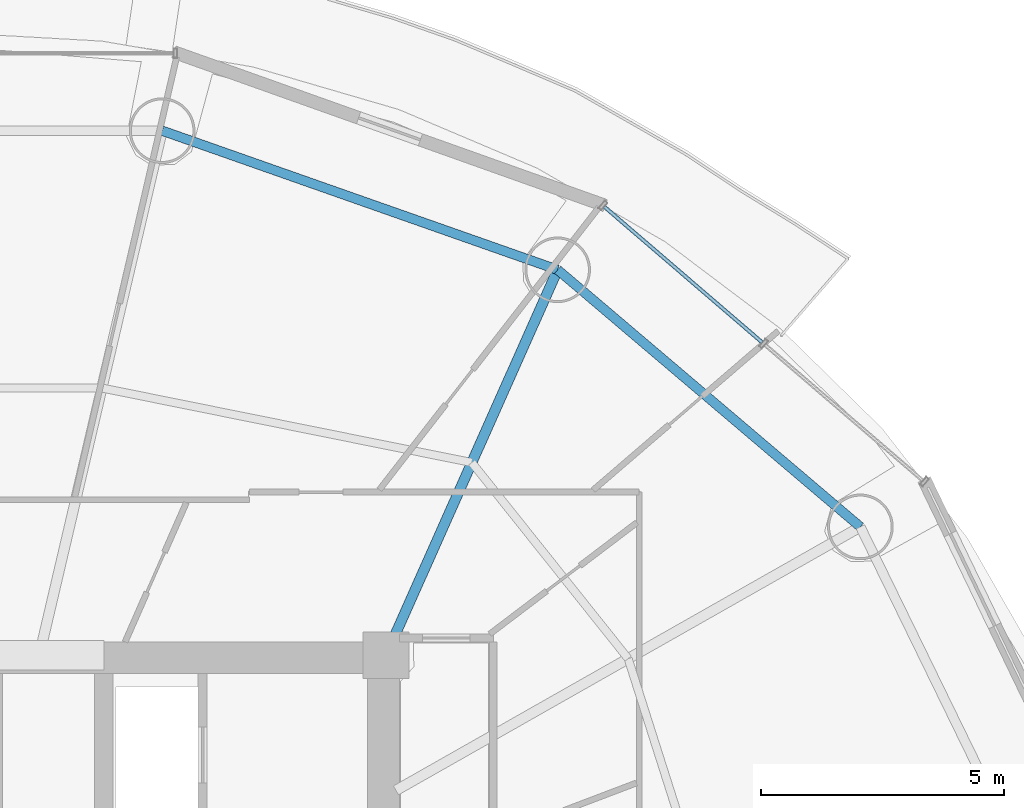
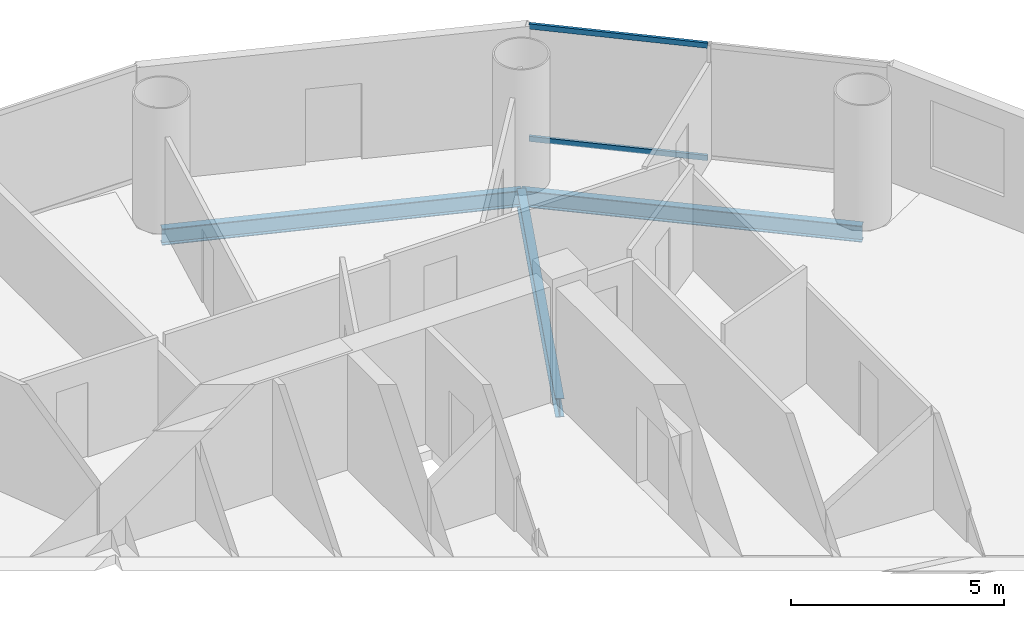
# One storey, part 17 of 26: 3 beams, 2 members, 1 element without a shape of its own.
"""IFC4 building model written with IfcOpenShell, lengths in metres."""

from ifc_helpers import new_model, si_unit, direction, frame, origin, origin_2d, place, context, subcontext, project, spatial, hollow_rectangle, i_section, extrude, source, transform, mapped, material, material_profile, profile_set, type_object, element, aggregate, save


model = new_model("IFC4")

# Units and contexts
model_context = context("Model", 3, precision=1e-05, world=origin(), true_north=direction((-0.2419218956, 0.970295726276)))
body_context = subcontext(model_context, "Body", "Model", "MODEL_VIEW")
ifc_project = project(units=[si_unit("LENGTHUNIT", "METRE"), si_unit("AREAUNIT", "SQUARE_METRE"), si_unit("VOLUMEUNIT", "CUBIC_METRE"), si_unit("PLANEANGLEUNIT", "RADIAN"), si_unit("MASSUNIT", "GRAM", prefix="KILO")], contexts=[model_context])

# Site, building, storey
site_placement = place(None, origin())
site = spatial("IfcSite", under=ifc_project, at=site_placement, CompositionType="ELEMENT")
building_placement = place(site_placement, origin())
building = spatial("IfcBuilding", under=site, at=building_placement, Name="Cobrevalo Terracotta Tower", CompositionType="ELEMENT")
storey_placement = place(building_placement, frame((0.0, 0.0, 178.60009765625)))
storey = spatial("IfcBuildingStorey", under=building, at=storey_placement, Name="L47", CompositionType="ELEMENT", Elevation=178.60009765625)

# Beams
ifc_material_1 = material(Name="Steel S355", Category="steel")
ifc_material_profile_1 = material_profile(ifc_material_1, i_section(OverallWidth=0.2109375, OverallDepth=0.5390625, WebThickness=0.01171875, FlangeThickness=0.018798828125, at=origin_2d()), Name="W 530x109")
ifc_profile_set_1 = profile_set([ifc_material_profile_1], Name="Steel S355")
beam_type_1 = type_object("IfcBeamType", Name="Structural Beam W 530x109 (Steel S355)", PredefinedType="BEAM", material=ifc_profile_set_1)
beam_1_placement = place(storey_placement, frame((50.528076171875, 42.72265625, -0.53955078125), z_axis=(-0.406804395691, -0.913515289224, 0.0), x_axis=(0.913515289224, -0.406804395691, 0.0)))
element("IfcBeam", 1, at=beam_1_placement, inside=storey, type_object=beam_type_1, Name="L47 radial floor girder 03", PredefinedType="BEAM", context=body_context, shape_type="SweptSolid", body=[
    extrude(i_section(OverallWidth=0.2109375, OverallDepth=0.5390625, WebThickness=0.01171875, FlangeThickness=0.018798828125, at=origin_2d()), origin(), (0.0, 0.0, 1.0), 8.672607421875),
])
ifc_material_profile_2 = material_profile(ifc_material_1, i_section(OverallWidth=0.194091796875, OverallDepth=0.468994140625, WebThickness=0.011474609375, FlangeThickness=0.0205078125, at=origin_2d()), Name="W 460x106")
ifc_profile_set_2 = profile_set([ifc_material_profile_2], Name="Steel S355")
beam_type_2 = type_object("IfcBeamType", Name="Structural Spandrel W 460x106 (Steel S355)", PredefinedType="SPANDREL", material=ifc_profile_set_2)
beam_2_placement = place(storey_placement, frame((56.749755859375, 37.439208984375, -0.504638671875), z_axis=(-0.762240337798, 0.647294112003, 0.0), x_axis=(-0.647294112003, -0.762240337798, 0.0)))
element("IfcBeam", 2, at=beam_2_placement, inside=storey, type_object=beam_type_2, Name="L47 perimeter ring spandrel 02", PredefinedType="SPANDREL", context=body_context, shape_type="SweptSolid", body=[
    extrude(i_section(OverallWidth=0.194091796875, OverallDepth=0.468994140625, WebThickness=0.011474609375, FlangeThickness=0.0205078125, at=origin_2d()), origin(), (0.0, 0.0, 1.0), 8.162353515625),
])
beam_3_placement = place(storey_placement, frame((50.528076171875, 42.72265625, -0.504638671875), z_axis=(-0.943341298492, 0.331824041565, 0.0), x_axis=(-0.331824041565, -0.943341298492, 0.0)))
element("IfcBeam", 3, at=beam_3_placement, inside=storey, type_object=beam_type_2, Name="L47 perimeter ring spandrel 03", PredefinedType="SPANDREL", context=body_context, shape_type="SweptSolid", body=[
    extrude(i_section(OverallWidth=0.194091796875, OverallDepth=0.468994140625, WebThickness=0.011474609375, FlangeThickness=0.0205078125, at=origin_2d()), origin(), (0.0, 0.0, 1.0), 8.6171875),
])

# Curtain wall, members
ifc_material_2 = material(Name="Anodized aluminium", Category="aluminium")
curtain_wall_type = type_object("IfcCurtainWallType", Name="Mid-tower high-wind unitised curtain wall CW-U2", PredefinedType="NOTDEFINED", material=ifc_material_2)
curtain_wall_placement = place(storey_placement, origin())
curtain_wall = element("IfcCurtainWall", 4, at=curtain_wall_placement, inside=storey, type_object=curtain_wall_type, Name="L47 curtain wall CW-L47-S02", PredefinedType="NOTDEFINED")
ifc_material_profile_3 = material_profile(ifc_material_2, hollow_rectangle(XDim=0.074951171875, YDim=0.14990234375, WallThickness=0.00439453125, at=origin_2d()), Name="CWT 75x150")
ifc_profile_set_3 = profile_set([ifc_material_profile_3], Name="Anodized aluminium")
member_type = type_object("IfcMemberType", Name="Tower unitised aluminium transom 75x150", PredefinedType="USERDEFINED", material=ifc_profile_set_3)
shared_shape = source(origin(), body_context, "Body", "SweptSolid", [
    extrude(hollow_rectangle(XDim=0.074951171875, YDim=0.14990234375, WallThickness=0.00439453125, at=origin_2d()), origin(), (0.0, 0.0, 1.0), 4.276123046875),
])
member_1_placement = place(storey_placement, frame((54.73193359375, 41.23046875, 0.0498046875), z_axis=(-0.758417719247, 0.651768795764, 0.0), x_axis=(-0.651768795764, -0.758417719247, 0.0)))
member_1 = element("IfcMember", 5, at=member_1_placement, type_object=member_type, Name="CW-L47-S02 transom B02-T1", ObjectType="TRANSOM", PredefinedType="USERDEFINED", context=body_context, shape_type="MappedRepresentation", body=[
    mapped(shared_shape, transform((0.0, 0.0, 0.0), scale=1.0)),
])
member_2_placement = place(storey_placement, frame((54.73193359375, 41.23046875, 3.27978515625), z_axis=(-0.758417719247, 0.651768795764, 0.0), x_axis=(-0.651768795764, -0.758417719247, 0.0)))
member_2 = element("IfcMember", 6, at=member_2_placement, type_object=member_type, Name="CW-L47-S02 transom B02-T2", ObjectType="TRANSOM", PredefinedType="USERDEFINED", context=body_context, shape_type="MappedRepresentation", body=[
    mapped(shared_shape, transform((0.0, 0.0, 0.0), scale=1.0)),
])
aggregate(curtain_wall, [member_1, member_2])

save(model, "model.ifc")
